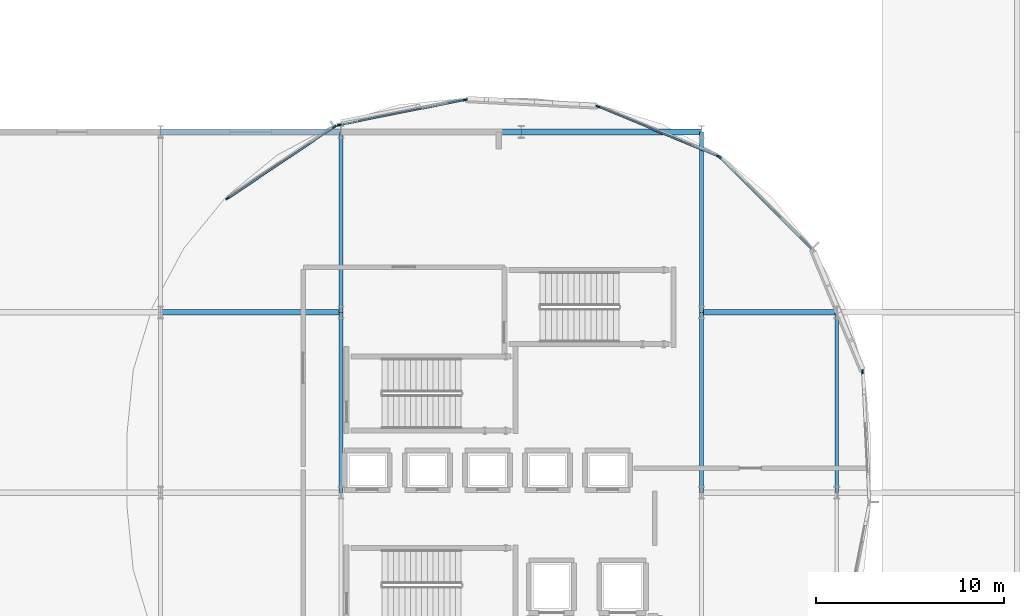
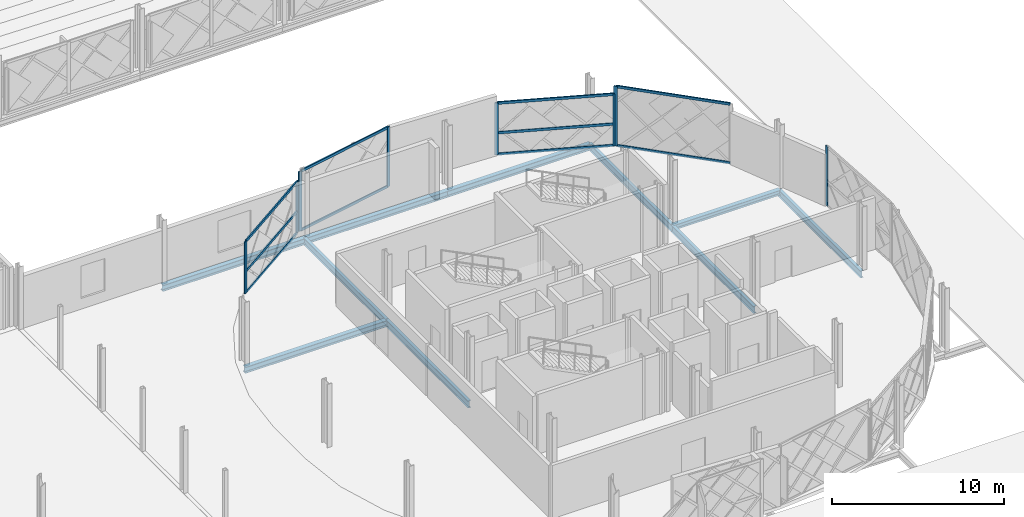
# One storey, part 53 of 101: 18 members, 10 beams, 5 elements without a shape of their own.
"""IFC4 building model written with IfcOpenShell, lengths in metres."""

from ifc_helpers import new_model, si_unit, direction, frame, origin, origin_2d, place, context, subcontext, project, spatial, rectangle, i_section, extrude, material, layer, layer_set, material_profile, profile_set, type_object, element, aggregate, save


model = new_model("IFC4")

# Units and contexts
model_context = context("Model", 3, precision=1e-05, world=origin(), true_north=direction((0.0, 1.0)))
body_context = subcontext(model_context, "Body", "Model", "MODEL_VIEW")
ifc_project = project(units=[si_unit("LENGTHUNIT", "METRE"), si_unit("AREAUNIT", "SQUARE_METRE"), si_unit("VOLUMEUNIT", "CUBIC_METRE"), si_unit("PLANEANGLEUNIT", "RADIAN"), si_unit("MASSUNIT", "GRAM", prefix="KILO")], contexts=[model_context])

# Site, building, storey
site_placement = place(None, origin())
site = spatial("IfcSite", under=ifc_project, at=site_placement, CompositionType="ELEMENT")
building_placement = place(site_placement, origin())
building = spatial("IfcBuilding", under=site, at=building_placement, Name="Zevrakil Square Congress Hotel", CompositionType="ELEMENT")
storey_placement = place(building_placement, frame((0.0, 0.0, 5.39990234375)))
storey = spatial("IfcBuildingStorey", under=building, at=storey_placement, Name="L02", CompositionType="ELEMENT", Elevation=5.39990234375)

# Beams
ifc_material_1 = material(Name="Steel S355", Category="steel")
ifc_material_profile_1 = material_profile(ifc_material_1, i_section(OverallWidth=0.300048828125, OverallDepth=0.35009765625, WebThickness=0.010009765625, FlangeThickness=0.017578125, FilletRadius=0.027099609375, at=origin_2d()), Name="HEA 360")
ifc_profile_set_1 = profile_set([ifc_material_profile_1], Name="Steel S355")
beam_type_1 = type_object("IfcBeamType", Name="BM-HEA360", PredefinedType="BEAM", material=ifc_profile_set_1)
beam_1_placement = place(storey_placement, frame((156.0, 36.0, -0.434814453125), z_axis=(1.0, 0.0, 0.0), x_axis=(0.0, 1.0, 0.0)))
element("IfcBeam", 1, at=beam_1_placement, inside=storey, type_object=beam_type_1, Name="L02 primary girder BX-0729", PredefinedType="BEAM", context=body_context, shape_type="SweptSolid", body=[
    extrude(i_section(OverallWidth=0.300048828125, OverallDepth=0.35009765625, WebThickness=0.010009765625, FlangeThickness=0.017578125, FilletRadius=0.027099609375, at=origin_2d()), origin(), (0.0, 0.0, 1.0), 7.199951171875),
])
ifc_material_2 = material(Name="Steel S355", Category="steel")
ifc_material_profile_2 = material_profile(ifc_material_2, i_section(OverallWidth=0.300048828125, OverallDepth=0.43994140625, WebThickness=0.011474609375, FlangeThickness=0.02099609375, FilletRadius=0.027099609375, at=origin_2d()), Name="HEA 450")
ifc_profile_set_2 = profile_set([ifc_material_profile_2], Name="Steel S355")
beam_type_2 = type_object("IfcBeamType", Name="BM-HEA450", PredefinedType="BEAM", material=ifc_profile_set_2)
for number, where, z_axis, x_axis, name in (
    (2, (127.199951171875, 36.0, -0.47998046875), (1.0, 0.0, 0.0), (0.0, 1.0, 0.0), "L02 primary girder BX-0728"),
    (3, (127.199951171875, 45.60009765625, -0.47998046875), (1.0, 0.0, 0.0), (0.0, 1.0, 0.0), "L02 primary girder BX-0745"),
):
    element("IfcBeam", number, at=place(storey_placement, frame(where, z_axis=z_axis, x_axis=x_axis)), inside=storey, type_object=beam_type_2, Name=name, PredefinedType="BEAM", context=body_context, shape_type="SweptSolid", body=[
        extrude(i_section(OverallWidth=0.300048828125, OverallDepth=0.43994140625, WebThickness=0.011474609375, FlangeThickness=0.02099609375, FilletRadius=0.027099609375, at=origin_2d()), origin(), (0.0, 0.0, 1.0), 9.60009765625),
    ])
beam_2_placement = place(storey_placement, frame((136.800048828125, 45.60009765625, -0.47998046875), z_axis=(1.0, 0.0, 0.0), x_axis=(0.0, 1.0, 0.0)))
element("IfcBeam", 4, at=beam_2_placement, inside=storey, type_object=beam_type_2, Name="L02 primary girder BX-0746", PredefinedType="BEAM", context=body_context, shape_type="SweptSolid", body=[
    extrude(i_section(OverallWidth=0.300048828125, OverallDepth=0.43994140625, WebThickness=0.011474609375, FlangeThickness=0.02099609375, FilletRadius=0.027099609375, at=origin_2d()), origin(), (0.0, 0.0, 1.0), 9.599853515625),
])
beam_3_placement = place(storey_placement, frame((146.39990234375, 45.60009765625, -0.47998046875), z_axis=(1.0, 0.0, 0.0), x_axis=(0.0, 1.0, 0.0)))
element("IfcBeam", 5, at=beam_3_placement, inside=storey, type_object=beam_type_2, Name="L02 primary girder BX-0747", PredefinedType="BEAM", context=body_context, shape_type="SweptSolid", body=[
    extrude(i_section(OverallWidth=0.300048828125, OverallDepth=0.43994140625, WebThickness=0.011474609375, FlangeThickness=0.02099609375, FilletRadius=0.027099609375, at=origin_2d()), origin(), (0.0, 0.0, 1.0), 9.60009765625),
])
ifc_material_3 = material(Name="Steel S355", Category="steel")
ifc_material_profile_3 = material_profile(ifc_material_3, i_section(OverallWidth=0.199951171875, OverallDepth=0.5, WebThickness=0.01025390625, FlangeThickness=0.01611328125, FilletRadius=0.02099609375, at=origin_2d()), Name="IPE 500")
ifc_profile_set_3 = profile_set([ifc_material_profile_3], Name="Steel S355")
beam_type_3 = type_object("IfcBeamType", Name="BM-IPE500", PredefinedType="BEAM", material=ifc_profile_set_3)
for number, where, z_axis, x_axis, name in (
    (6, (136.800048828125, 26.39990234375, -0.510009765625), (0.0, 1.0, 0.0), (-1.0, 0.0, 0.0), "L02 primary girder BY-0940"),
    (7, (136.800048828125, 36.0, -0.510009765625), (0.0, 1.0, 0.0), (-1.0, 0.0, 0.0), "L02 primary girder BY-0941"),
    (8, (156.0, 26.39990234375, -0.510009765625), (0.0, 1.0, 0.0), (-1.0, 0.0, 0.0), "L02 primary girder BY-0947"),
    (9, (156.0, 36.0, -0.510009765625), (0.0, 1.0, 0.0), (-1.0, 0.0, 0.0), "L02 primary girder BY-0948"),
    (10, (163.199951171875, 26.39990234375, -0.510009765625), (0.0, 1.0, 0.0), (-1.0, 0.0, 0.0), "L02 primary girder BY-0950"),
):
    element("IfcBeam", number, at=place(storey_placement, frame(where, z_axis=z_axis, x_axis=x_axis)), inside=storey, type_object=beam_type_3, Name=name, PredefinedType="BEAM", context=body_context, shape_type="SweptSolid", body=[
        extrude(i_section(OverallWidth=0.199951171875, OverallDepth=0.5, WebThickness=0.01025390625, FlangeThickness=0.01611328125, FilletRadius=0.02099609375, at=origin_2d()), origin(), (0.0, 0.0, 1.0), 9.60009765625),
    ])

# Curtain wall, members
ifc_material_4 = material(Name="Aluminium Anodised Bronze", Category="aluminium")
ifc_layer = layer(ifc_material_4, 0.179931640625)
ifc_layer_set = layer_set([ifc_layer], Name="Aluminium Anodised Bronze")
curtain_wall_type = type_object("IfcCurtainWallType", Name="CW-L02-720", PredefinedType="USERDEFINED", material=ifc_layer_set)
curtain_wall_1_placement = place(storey_placement, origin())
curtain_wall_1 = element("IfcCurtainWall", 11, at=curtain_wall_1_placement, inside=storey, type_object=curtain_wall_type, Name="L02 diamond curtain wall CW-L02-0157", ObjectType="GLAZED CURTAIN WALL", PredefinedType="USERDEFINED")
ifc_material_5 = material(Name="Aluminium Anodised Bronze", Category="aluminium")
ifc_material_profile_4 = material_profile(ifc_material_5, rectangle(XDim=0.0849609375, YDim=0.179931640625, at=origin_2d()), Name="ALU 85x180")
ifc_profile_set_4 = profile_set([ifc_material_profile_4], Name="Aluminium Anodised Bronze")
member_type_1 = type_object("IfcMemberType", Name="CWM-ALU85x180", PredefinedType="USERDEFINED", material=ifc_profile_set_4)
member_1_placement = place(storey_placement, frame((161.841552734375, 39.372802734375, 0.030029296875), z_axis=(-0.707124509604, 0.707089052325, 0.0), x_axis=(-0.707089052325, -0.707124509604, 0.0)))
member_1 = element("IfcMember", 12, at=member_1_placement, type_object=member_type_1, Name="CW-22 transom 1.1", ObjectType="TRANSOM", PredefinedType="USERDEFINED", context=body_context, shape_type="SweptSolid", body=[
    extrude(rectangle(XDim=0.0849609375, YDim=0.179931640625, at=origin_2d()), origin(), (0.0, 0.0, 1.0), 6.885498046875),
])
member_2_placement = place(storey_placement, frame((161.841552734375, 39.372802734375, 4.210205078125), z_axis=(-0.707124509604, 0.707089052325, 0.0), x_axis=(-0.707089052325, -0.707124509604, 0.0)))
member_2 = element("IfcMember", 13, at=member_2_placement, type_object=member_type_1, Name="CW-22 transom 1.2", ObjectType="TRANSOM", PredefinedType="USERDEFINED", context=body_context, shape_type="SweptSolid", body=[
    extrude(rectangle(XDim=0.0849609375, YDim=0.179931640625, at=origin_2d()), origin(), (0.0, 0.0, 1.0), 6.885498046875),
])

curtain_wall_2_placement = place(storey_placement, origin())
curtain_wall_2 = element("IfcCurtainWall", 14, at=curtain_wall_2_placement, inside=storey, type_object=curtain_wall_type, Name="L02 diamond curtain wall CW-L02-0158", ObjectType="GLAZED CURTAIN WALL", PredefinedType="USERDEFINED")
member_3_placement = place(storey_placement, frame((156.874755859375, 44.306884765625, 0.030029296875), z_axis=(-0.923869037393, 0.382708768838, 0.0), x_axis=(-0.382708768838, -0.923869037393, 0.0)))
member_3 = element("IfcMember", 15, at=member_3_placement, type_object=member_type_1, Name="CW-22 transom 1.1", ObjectType="TRANSOM", PredefinedType="USERDEFINED", context=body_context, shape_type="SweptSolid", body=[
    extrude(rectangle(XDim=0.0849609375, YDim=0.179931640625, at=origin_2d()), origin(), (0.0, 0.0, 1.0), 6.8857421875),
])
member_4_placement = place(storey_placement, frame((156.874755859375, 44.306884765625, 1.5478515625), z_axis=(-0.923869037393, 0.382708768838, 0.0), x_axis=(-0.382708768838, -0.923869037393, 0.0)))
member_4 = element("IfcMember", 16, at=member_4_placement, type_object=member_type_1, Name="CW-22 transom 1.2", ObjectType="TRANSOM", PredefinedType="USERDEFINED", context=body_context, shape_type="SweptSolid", body=[
    extrude(rectangle(XDim=0.0849609375, YDim=0.179931640625, at=origin_2d()), origin(), (0.0, 0.0, 1.0), 6.8857421875),
])
member_5_placement = place(storey_placement, frame((156.874755859375, 44.306884765625, 3.655029296875), z_axis=(-0.923869037393, 0.382708768838, 0.0), x_axis=(-0.382708768838, -0.923869037393, 0.0)))
member_5 = element("IfcMember", 17, at=member_5_placement, type_object=member_type_1, Name="CW-22 transom 1.3", ObjectType="TRANSOM", PredefinedType="USERDEFINED", context=body_context, shape_type="SweptSolid", body=[
    extrude(rectangle(XDim=0.0849609375, YDim=0.179931640625, at=origin_2d()), origin(), (0.0, 0.0, 1.0), 6.8857421875),
])

curtain_wall_3_placement = place(storey_placement, origin())
curtain_wall_3 = element("IfcCurtainWall", 18, at=curtain_wall_3_placement, inside=storey, type_object=curtain_wall_type, Name="L02 diamond curtain wall CW-L02-0159", ObjectType="GLAZED CURTAIN WALL", PredefinedType="USERDEFINED")
member_6_placement = place(storey_placement, frame((143.38623046875, 47.29833984375, 0.030029296875), z_axis=(-0.980787963133, -0.19507683454, 0.0), x_axis=(0.19507683454, -0.980787963133, 0.0)))
member_6 = element("IfcMember", 19, at=member_6_placement, type_object=member_type_1, Name="CW-22 transom 1.1", ObjectType="TRANSOM", PredefinedType="USERDEFINED", context=body_context, shape_type="SweptSolid", body=[
    extrude(rectangle(XDim=0.0849609375, YDim=0.179931640625, at=origin_2d()), origin(), (0.0, 0.0, 1.0), 6.77685546875),
])
member_7_placement = place(storey_placement, frame((143.38623046875, 47.29833984375, 4.210205078125), z_axis=(-0.980787963133, -0.19507683454, 0.0), x_axis=(0.19507683454, -0.980787963133, 0.0)))
member_7 = element("IfcMember", 20, at=member_7_placement, type_object=member_type_1, Name="CW-22 transom 1.2", ObjectType="TRANSOM", PredefinedType="USERDEFINED", context=body_context, shape_type="SweptSolid", body=[
    extrude(rectangle(XDim=0.0849609375, YDim=0.179931640625, at=origin_2d()), origin(), (0.0, 0.0, 1.0), 6.77685546875),
])

curtain_wall_4_placement = place(storey_placement, origin())
curtain_wall_4 = element("IfcCurtainWall", 21, at=curtain_wall_4_placement, inside=storey, type_object=curtain_wall_type, Name="L02 diamond curtain wall CW-L02-0160", ObjectType="GLAZED CURTAIN WALL", PredefinedType="USERDEFINED")
member_8_placement = place(storey_placement, frame((136.433349609375, 45.849365234375, 0.030029296875), z_axis=(-0.831467861269, -0.555572853617, 0.0), x_axis=(0.555572853617, -0.831467861269, 0.0)))
member_8 = element("IfcMember", 22, at=member_8_placement, type_object=member_type_1, Name="CW-22 transom 1.1", ObjectType="TRANSOM", PredefinedType="USERDEFINED", context=body_context, shape_type="SweptSolid", body=[
    extrude(rectangle(XDim=0.0849609375, YDim=0.179931640625, at=origin_2d()), origin(), (0.0, 0.0, 1.0), 6.776611328125),
])
member_9_placement = place(storey_placement, frame((136.433349609375, 45.849365234375, 1.5478515625), z_axis=(-0.831467861269, -0.555572853617, 0.0), x_axis=(0.555572853617, -0.831467861269, 0.0)))
member_9 = element("IfcMember", 23, at=member_9_placement, type_object=member_type_1, Name="CW-22 transom 1.2", ObjectType="TRANSOM", PredefinedType="USERDEFINED", context=body_context, shape_type="SweptSolid", body=[
    extrude(rectangle(XDim=0.0849609375, YDim=0.179931640625, at=origin_2d()), origin(), (0.0, 0.0, 1.0), 6.776611328125),
])
member_10_placement = place(storey_placement, frame((136.433349609375, 45.849365234375, 3.655029296875), z_axis=(-0.831467861269, -0.555572853617, 0.0), x_axis=(0.555572853617, -0.831467861269, 0.0)))
member_10 = element("IfcMember", 24, at=member_10_placement, type_object=member_type_1, Name="CW-22 transom 1.3", ObjectType="TRANSOM", PredefinedType="USERDEFINED", context=body_context, shape_type="SweptSolid", body=[
    extrude(rectangle(XDim=0.0849609375, YDim=0.179931640625, at=origin_2d()), origin(), (0.0, 0.0, 1.0), 6.776611328125),
])

# Curtain wall, member
curtain_wall_5_placement = place(storey_placement, origin())
curtain_wall_5 = element("IfcCurtainWall", 25, at=curtain_wall_5_placement, inside=storey, type_object=curtain_wall_type, Name="L02 diamond curtain wall CW-L02-0156", ObjectType="GLAZED CURTAIN WALL", PredefinedType="USERDEFINED")
ifc_material_6 = material(Name="Aluminium Anodised Bronze", Category="aluminium")
ifc_material_profile_5 = material_profile(ifc_material_6, rectangle(XDim=0.0849609375, YDim=0.219970703125, at=origin_2d()), Name="ALU 85x220")
ifc_profile_set_5 = profile_set([ifc_material_profile_5], Name="Aluminium Anodised Bronze")
member_type_2 = type_object("IfcMemberType", Name="CWM-ALU85x220", PredefinedType="MULLION", material=ifc_profile_set_5)
member_11_placement = place(storey_placement, frame((164.56640625, 32.827880859375, 0.0), z_axis=(0.0, 0.0, 1.0), x_axis=(-0.998792080913, -0.049136331831, 0.0)))
member_11 = element("IfcMember", 26, at=member_11_placement, type_object=member_type_2, Name="CW-22 mullion 2", PredefinedType="MULLION", context=body_context, shape_type="SweptSolid", body=[
    extrude(rectangle(XDim=0.0849609375, YDim=0.219970703125, at=origin_2d()), origin(), (0.0, 0.0, 1.0), 4.239990234375),
])
aggregate(curtain_wall_5, [member_11])

# Member
member_12_placement = place(storey_placement, frame((156.951416015625, 44.2626953125, 0.0), z_axis=(0.0, 0.0, 1.0), x_axis=(-0.707106781187, -0.707106781187, 0.0)))
member_12 = element("IfcMember", 27, at=member_12_placement, type_object=member_type_2, Name="CW-22 mullion 2", PredefinedType="MULLION", context=body_context, shape_type="SweptSolid", body=[
    extrude(rectangle(XDim=0.0849609375, YDim=0.219970703125, at=origin_2d()), origin(), (0.0, 0.0, 1.0), 4.239990234375),
])

aggregate(curtain_wall_1, [member_12, member_1, member_2])

member_13_placement = place(storey_placement, frame((156.902587890625, 44.29541015625, 0.0), z_axis=(0.0, 0.0, 1.0), x_axis=(-0.382683763454, -0.92387939537, 0.0)))
member_13 = element("IfcMember", 28, at=member_13_placement, type_object=member_type_2, Name="CW-22 mullion 1", PredefinedType="MULLION", context=body_context, shape_type="SweptSolid", body=[
    extrude(rectangle(XDim=0.0849609375, YDim=0.219970703125, at=origin_2d()), origin(), (0.0, 0.0, 1.0), 3.68505859375),
])

member_14_placement = place(storey_placement, frame((150.485595703125, 46.95361328125, 0.0), z_axis=(0.0, 0.0, 1.0), x_axis=(-0.382683763454, -0.92387939537, 0.0)))
member_14 = element("IfcMember", 29, at=member_14_placement, type_object=member_type_2, Name="CW-22 mullion 2", PredefinedType="MULLION", context=body_context, shape_type="SweptSolid", body=[
    extrude(rectangle(XDim=0.0849609375, YDim=0.219970703125, at=origin_2d()), origin(), (0.0, 0.0, 1.0), 3.68505859375),
])

aggregate(curtain_wall_2, [member_13, member_14, member_3, member_4, member_5])

member_15_placement = place(storey_placement, frame((143.41552734375, 47.30419921875, 0.0), z_axis=(0.0, 0.0, 1.0), x_axis=(0.195075966178, -0.980788135848, 0.0)))
member_15 = element("IfcMember", 30, at=member_15_placement, type_object=member_type_2, Name="CW-22 mullion 1", PredefinedType="MULLION", context=body_context, shape_type="SweptSolid", body=[
    extrude(rectangle(XDim=0.0849609375, YDim=0.219970703125, at=origin_2d()), origin(), (0.0, 0.0, 1.0), 4.239990234375),
])

member_16_placement = place(storey_placement, frame((136.710205078125, 45.970458984375, 0.0), z_axis=(0.0, 0.0, 1.0), x_axis=(0.195075966178, -0.980788135848, 0.0)))
member_16 = element("IfcMember", 31, at=member_16_placement, type_object=member_type_2, Name="CW-22 mullion 2", PredefinedType="MULLION", context=body_context, shape_type="SweptSolid", body=[
    extrude(rectangle(XDim=0.0849609375, YDim=0.219970703125, at=origin_2d()), origin(), (0.0, 0.0, 1.0), 4.239990234375),
])

aggregate(curtain_wall_3, [member_15, member_16, member_6, member_7])

member_17_placement = place(storey_placement, frame((136.458251953125, 45.8662109375, 0.0), z_axis=(0.0, 0.0, 1.0), x_axis=(0.555579898142, -0.831463154193, 0.0)))
member_17 = element("IfcMember", 32, at=member_17_placement, type_object=member_type_2, Name="CW-22 mullion 1", PredefinedType="MULLION", context=body_context, shape_type="SweptSolid", body=[
    extrude(rectangle(XDim=0.0849609375, YDim=0.219970703125, at=origin_2d()), origin(), (0.0, 0.0, 1.0), 3.68505859375),
])

member_18_placement = place(storey_placement, frame((130.77392578125, 42.06787109375, 0.0), z_axis=(0.0, 0.0, 1.0), x_axis=(0.555579898142, -0.831463154193, 0.0)))
member_18 = element("IfcMember", 33, at=member_18_placement, type_object=member_type_2, Name="CW-22 mullion 2", PredefinedType="MULLION", context=body_context, shape_type="SweptSolid", body=[
    extrude(rectangle(XDim=0.0849609375, YDim=0.219970703125, at=origin_2d()), origin(), (0.0, 0.0, 1.0), 3.68505859375),
])

aggregate(curtain_wall_4, [member_17, member_18, member_8, member_9, member_10])

save(model, "model.ifc")
